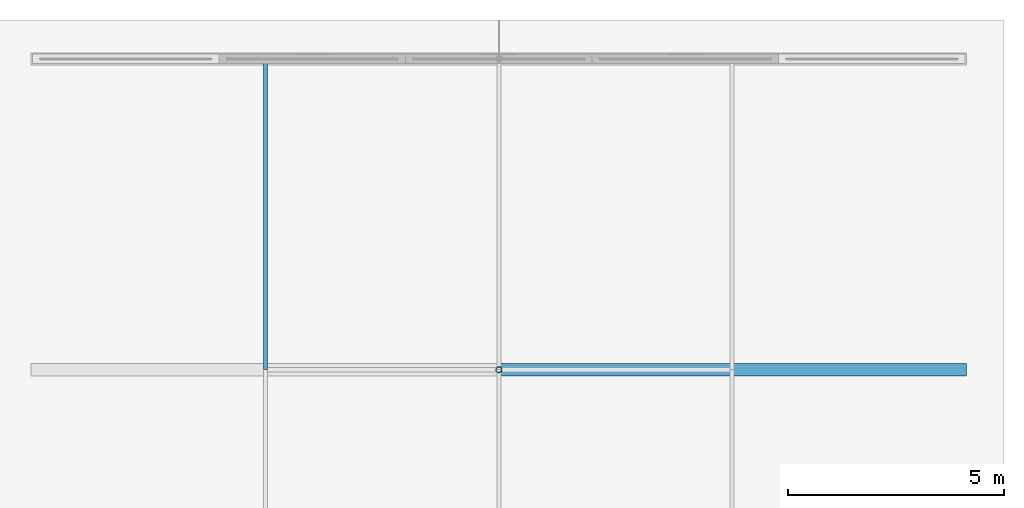
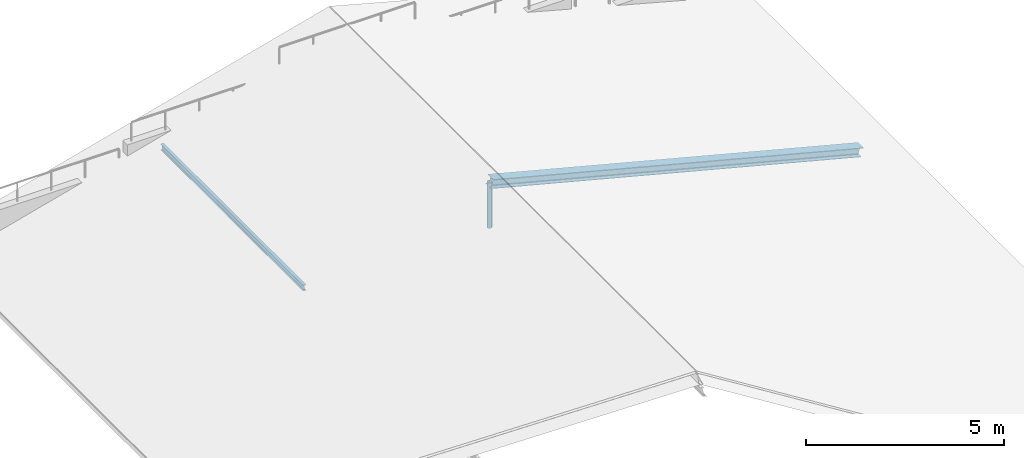
# One storey, part 5 of 8: 3 members.
"""IFC4 building model written with IfcOpenShell, lengths in metres."""

from ifc_helpers import new_model, si_unit, direction, frame, origin, origin_2d, place, context, subcontext, project, spatial, hollow_circle, i_section, extrude, material, material_profile, profile_set, type_object, element, save


model = new_model("IFC4")

# Units and contexts
model_context = context("Model", 3, precision=1e-05, world=origin(), true_north=direction((0.0, 1.0)))
body_context = subcontext(model_context, "Body", "Model", "MODEL_VIEW")
ifc_project = project(units=[si_unit("LENGTHUNIT", "METRE"), si_unit("AREAUNIT", "SQUARE_METRE"), si_unit("VOLUMEUNIT", "CUBIC_METRE"), si_unit("PLANEANGLEUNIT", "RADIAN"), si_unit("MASSUNIT", "GRAM", prefix="KILO"), si_unit("THERMODYNAMICTEMPERATUREUNIT", "KELVIN"), si_unit("POWERUNIT", "WATT")], contexts=[model_context])

# Site, building, storey
site_placement = place(None, origin())
site = spatial("IfcSite", under=ifc_project, at=site_placement, CompositionType="ELEMENT")
building_placement = place(site_placement, origin())
building = spatial("IfcBuilding", under=site, at=building_placement, Name="Tavuni Mirador Residences", CompositionType="ELEMENT")
storey_placement = place(building_placement, frame((0.0, 0.0, 51.75)))
storey = spatial("IfcBuildingStorey", under=building, at=storey_placement, Name="RF", CompositionType="ELEMENT", Elevation=51.75)

# Members
ifc_material = material(Name="Structural steel S355", Category="steel")
ifc_material_profile_1 = material_profile(ifc_material, hollow_circle(Radius=0.06982421875, WallThickness=0.008056640625, at=origin_2d()), Name="CHS 139.7x8.0", Category="steel")
ifc_profile_set_1 = profile_set([ifc_material_profile_1], Name="Structural steel S355")
member_type_1 = type_object("IfcMemberType", Name="MT-BR-CHS139", PredefinedType="BRACE", material=ifc_profile_set_1)
member_1_placement = place(storey_placement, frame((14.39990234375, 28.800048828125, 1.050048828125), z_axis=(0.0, 0.0, 1.0), x_axis=(1.0, 0.0, 0.0)))
element("IfcMember", 1, at=member_1_placement, inside=storey, type_object=member_type_1, Name="RKP-BLK-A-03", PredefinedType="BRACE", context=body_context, shape_type="SweptSolid", body=[
    extrude(hollow_circle(Radius=0.06982421875, WallThickness=0.008056640625, at=origin_2d()), origin(), (0.0, 0.0, 1.0), 1.39990234375),
])
ifc_material_profile_2 = material_profile(ifc_material, i_section(OverallWidth=0.280029296875, OverallDepth=0.27001953125, WebThickness=0.008056640625, FlangeThickness=0.012939453125, FilletRadius=0.02392578125, at=origin_2d()), Name="HEA 280", Category="steel")
ifc_profile_set_2 = profile_set([ifc_material_profile_2], Name="Structural steel S355")
member_type_2 = type_object("IfcMemberType", Name="MT-CH-HEA280", PredefinedType="CHORD", material=ifc_profile_set_2)
member_2_placement = place(storey_placement, frame((14.39990234375, 28.800048828125, 2.449951171875), z_axis=(0.967996110632, 0.0, -0.250965196393), x_axis=(0.0, 1.0, 0.0)))
element("IfcMember", 2, at=member_2_placement, inside=storey, type_object=member_type_2, Name="RAF-BLK-A-03-E", PredefinedType="CHORD", context=body_context, shape_type="SweptSolid", body=[
    extrude(i_section(OverallWidth=0.280029296875, OverallDepth=0.27001953125, WebThickness=0.008056640625, FlangeThickness=0.012939453125, FilletRadius=0.02392578125, at=origin_2d()), origin(), (0.0, 0.0, 1.0), 11.1572265625),
])
ifc_material_profile_3 = material_profile(ifc_material, i_section(OverallWidth=0.091064453125, OverallDepth=0.179931640625, WebThickness=0.00537109375, FlangeThickness=0.008056640625, FilletRadius=0.009033203125, at=origin_2d()), Name="IPE 180", Category="steel")
ifc_profile_set_3 = profile_set([ifc_material_profile_3], Name="Structural steel S355")
member_type_3 = type_object("IfcMemberType", Name="MT-PR-IPE180", PredefinedType="PURLIN", material=ifc_profile_set_3)
member_3_placement = place(storey_placement, frame((9.0, 28.800048828125, 1.06005859375), z_axis=(0.0, 1.0, 0.0), x_axis=(-1.0, 0.0, 0.0)))
element("IfcMember", 3, at=member_3_placement, inside=storey, type_object=member_type_3, Name="RPUR-BLK-A-25-03", PredefinedType="PURLIN", context=body_context, shape_type="SweptSolid", body=[
    extrude(i_section(OverallWidth=0.091064453125, OverallDepth=0.179931640625, WebThickness=0.00537109375, FlangeThickness=0.008056640625, FilletRadius=0.009033203125, at=origin_2d()), origin(), (0.0, 0.0, 1.0), 7.199951171875),
])

save(model, "model.ifc")
